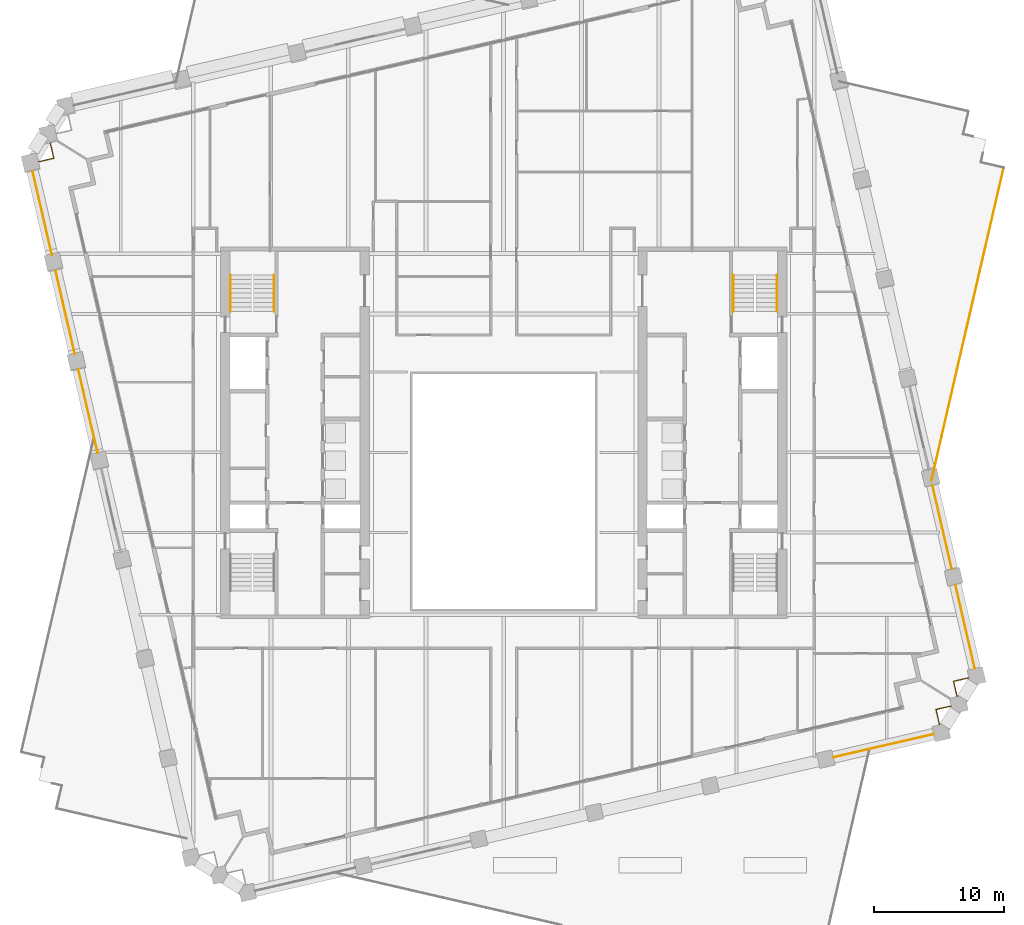
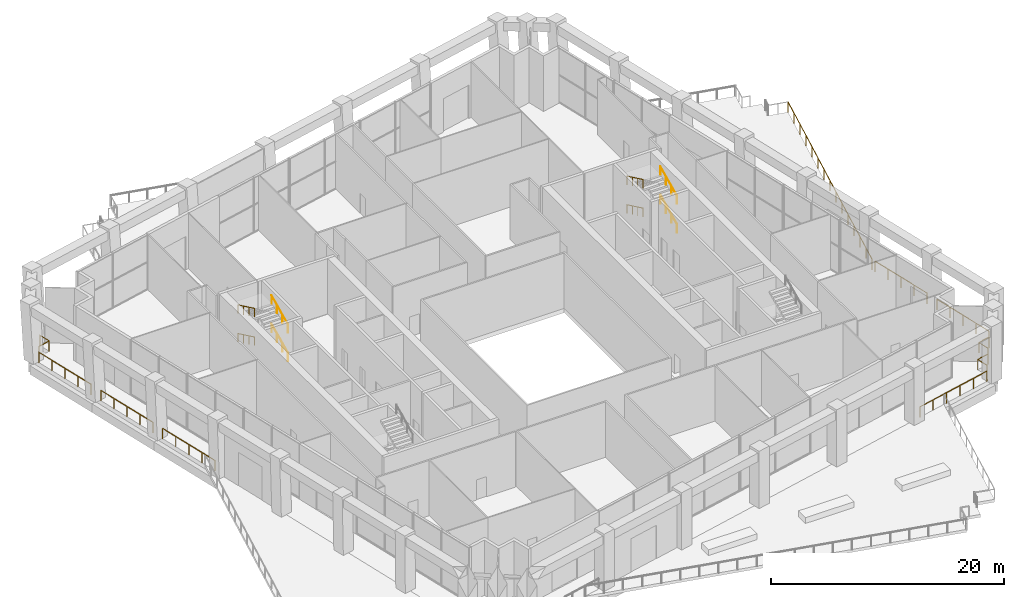
# One storey, part 20 of 24: 18 railings.
"""IFC4 building model written with IfcOpenShell, lengths in metres."""

from ifc_helpers import new_model, si_unit, direction, frame, origin, origin_2d, place, context, subcontext, project, spatial, circle, extrude, material, type_object, element, save


model = new_model("IFC4")

# Units and contexts
model_context = context("Model", 3, precision=1e-05, world=origin(), true_north=direction((0.0, 1.0)))
body_context = subcontext(model_context, "Body", "Model", "MODEL_VIEW")
ifc_project = project(units=[si_unit("LENGTHUNIT", "METRE"), si_unit("AREAUNIT", "SQUARE_METRE"), si_unit("VOLUMEUNIT", "CUBIC_METRE"), si_unit("PLANEANGLEUNIT", "RADIAN"), si_unit("MASSUNIT", "GRAM", prefix="KILO")], contexts=[model_context])

# Site, building, storey
site_placement = place(None, origin())
site = spatial("IfcSite", under=ifc_project, at=site_placement, CompositionType="ELEMENT")
building_placement = place(site_placement, origin())
building = spatial("IfcBuilding", under=site, at=building_placement, Name="Ogive Exchange Tower", CompositionType="ELEMENT")
storey_placement = place(building_placement, frame((0.0, 0.0, 165.60009765625)))
storey = spatial("IfcBuildingStorey", under=building, at=storey_placement, Name="L36", CompositionType="ELEMENT", Elevation=165.60009765625)

# Railings
ifc_material_1 = material(Name="Stainless steel 316", Category="steel")
railing_type_1 = type_object("IfcRailingType", Name="Balustrade 1100 glass and stainless steel", PredefinedType="BALUSTRADE", material=ifc_material_1)
railing_1_placement = place(storey_placement, frame((38.32958984375, 31.826904296875, 0.0)))
element("IfcRailing", 1, at=railing_1_placement, inside=storey, type_object=railing_type_1, Name="Terrace balustrade 17", PredefinedType="BALUSTRADE", context=body_context, shape_type="SweptSolid", body=[
    extrude(circle(Radius=0.02392578125, at=origin_2d()), frame((0.0, 0.0, 1.076171875), z_axis=(-0.224946395501, -0.974371140352, 0.0), x_axis=(0.974371140352, -0.224946395501, 0.0)), (0.0, 0.0, 1.0), 24.625),
    extrude(circle(Radius=0.02099609375, at=origin_2d()), origin(), (0.0, 0.0, 1.0), 1.052001953125),
    extrude(circle(Radius=0.02099609375, at=origin_2d()), frame((-0.395751953125, -1.7138671875, 0.0)), (0.0, 0.0, 1.0), 1.052001953125),
    extrude(circle(Radius=0.02099609375, at=origin_2d()), frame((-0.791259765625, -3.427734375, 0.0)), (0.0, 0.0, 1.0), 1.052001953125),
    extrude(circle(Radius=0.02099609375, at=origin_2d()), frame((-1.18701171875, -5.1416015625, 0.0)), (0.0, 0.0, 1.0), 1.052001953125),
    extrude(circle(Radius=0.02099609375, at=origin_2d()), frame((-1.582763671875, -6.85546875, 0.0)), (0.0, 0.0, 1.0), 1.052001953125),
    extrude(circle(Radius=0.02099609375, at=origin_2d()), frame((-1.978271484375, -8.5693359375, 0.0)), (0.0, 0.0, 1.0), 1.052001953125),
    extrude(circle(Radius=0.02099609375, at=origin_2d()), frame((-2.3740234375, -10.283203125, 0.0)), (0.0, 0.0, 1.0), 1.052001953125),
    extrude(circle(Radius=0.02099609375, at=origin_2d()), frame((-2.76953125, -11.9970703125, 0.0)), (0.0, 0.0, 1.0), 1.052001953125),
    extrude(circle(Radius=0.02099609375, at=origin_2d()), frame((-3.165283203125, -13.710693359375, 0.0)), (0.0, 0.0, 1.0), 1.052001953125),
    extrude(circle(Radius=0.02099609375, at=origin_2d()), frame((-3.56103515625, -15.424560546875, 0.0)), (0.0, 0.0, 1.0), 1.052001953125),
    extrude(circle(Radius=0.02099609375, at=origin_2d()), frame((-3.95654296875, -17.138427734375, 0.0)), (0.0, 0.0, 1.0), 1.052001953125),
    extrude(circle(Radius=0.02099609375, at=origin_2d()), frame((-4.352294921875, -18.852294921875, 0.0)), (0.0, 0.0, 1.0), 1.052001953125),
    extrude(circle(Radius=0.02099609375, at=origin_2d()), frame((-4.748046875, -20.566162109375, 0.0)), (0.0, 0.0, 1.0), 1.052001953125),
    extrude(circle(Radius=0.02099609375, at=origin_2d()), frame((-5.1435546875, -22.280029296875, 0.0)), (0.0, 0.0, 1.0), 1.052001953125),
    extrude(circle(Radius=0.02099609375, at=origin_2d()), frame((-5.539306640625, -23.993896484375, 0.0)), (0.0, 0.0, 1.0), 1.052001953125),
])
railing_type_2 = type_object("IfcRailingType", Name="Guard 1100 stainless steel and glass", PredefinedType="GUARDRAIL", material=ifc_material_1)
railing_2_placement = place(storey_placement, frame((25.28857421875, -13.37451171875, 0.0)))
element("IfcRailing", 2, at=railing_2_placement, inside=storey, type_object=railing_type_2, Name="Loggia guard S05", PredefinedType="GUARDRAIL", context=body_context, shape_type="SweptSolid", body=[
    extrude(circle(Radius=0.02392578125, at=origin_2d()), frame((0.0, 0.0, 1.076171875), z_axis=(0.974365538329, 0.224970659679, 0.0), x_axis=(-0.224970659679, 0.974365538329, 0.0)), (0.0, 0.0, 1.0), 7.860107421875),
    extrude(circle(Radius=0.02099609375, at=origin_2d()), origin(), (0.0, 0.0, 1.0), 1.052001953125),
    extrude(circle(Radius=0.02099609375, at=origin_2d()), frame((1.53173828125, 0.353759765625, 0.0)), (0.0, 0.0, 1.0), 1.052001953125),
    extrude(circle(Radius=0.02099609375, at=origin_2d()), frame((3.0634765625, 0.707275390625, 0.0)), (0.0, 0.0, 1.0), 1.052001953125),
    extrude(circle(Radius=0.02099609375, at=origin_2d()), frame((4.59521484375, 1.06103515625, 0.0)), (0.0, 0.0, 1.0), 1.052001953125),
    extrude(circle(Radius=0.02099609375, at=origin_2d()), frame((6.126953125, 1.41455078125, 0.0)), (0.0, 0.0, 1.0), 1.052001953125),
    extrude(circle(Radius=0.02099609375, at=origin_2d()), frame((7.65869140625, 1.768310546875, 0.0)), (0.0, 0.0, 1.0), 1.052001953125),
])
for number, where, name in (
    (3, (36.109619140625, -6.545166015625, 0.0), "Loggia guard E00"),
    (4, (34.35498046875, 1.054931640625, 0.0), "Loggia guard E01"),
):
    element("IfcRailing", number, at=place(storey_placement, frame(where)), inside=storey, type_object=railing_type_2, Name=name, PredefinedType="GUARDRAIL", context=body_context, shape_type="SweptSolid", body=[
        extrude(circle(Radius=0.02392578125, at=origin_2d()), frame((0.0, 0.0, 1.076171875), z_axis=(-0.224938330306, 0.974373002273, 0.0), x_axis=(-0.974373002273, -0.224938330306, 0.0)), (0.0, 0.0, 1.0), 6.56005859375),
        extrude(circle(Radius=0.02099609375, at=origin_2d()), origin(), (0.0, 0.0, 1.0), 1.052001953125),
        extrude(circle(Radius=0.02099609375, at=origin_2d()), frame((-0.368896484375, 1.597900390625, 0.0)), (0.0, 0.0, 1.0), 1.052001953125),
        extrude(circle(Radius=0.02099609375, at=origin_2d()), frame((-0.73779296875, 3.19580078125, 0.0)), (0.0, 0.0, 1.0), 1.052001953125),
        extrude(circle(Radius=0.02099609375, at=origin_2d()), frame((-1.106689453125, 4.7939453125, 0.0)), (0.0, 0.0, 1.0), 1.052001953125),
        extrude(circle(Radius=0.02099609375, at=origin_2d()), frame((-1.4755859375, 6.391845703125, 0.0)), (0.0, 0.0, 1.0), 1.052001953125),
    ])
for number, where, name in (
    (5, (-36.109619140625, 31.545166015625, 0.0), "Loggia guard W00"),
    (6, (-34.35498046875, 23.945068359375, 0.0), "Loggia guard W01"),
):
    element("IfcRailing", number, at=place(storey_placement, frame(where)), inside=storey, type_object=railing_type_2, Name=name, PredefinedType="GUARDRAIL", context=body_context, shape_type="SweptSolid", body=[
        extrude(circle(Radius=0.02392578125, at=origin_2d()), frame((0.0, 0.0, 1.076171875), z_axis=(0.224938330306, -0.974373002273, 0.0), x_axis=(0.974373002273, 0.224938330306, 0.0)), (0.0, 0.0, 1.0), 6.56005859375),
        extrude(circle(Radius=0.02099609375, at=origin_2d()), origin(), (0.0, 0.0, 1.0), 1.052001953125),
        extrude(circle(Radius=0.02099609375, at=origin_2d()), frame((0.368896484375, -1.597900390625, 0.0)), (0.0, 0.0, 1.0), 1.052001953125),
        extrude(circle(Radius=0.02099609375, at=origin_2d()), frame((0.73779296875, -3.19580078125, 0.0)), (0.0, 0.0, 1.0), 1.052001953125),
        extrude(circle(Radius=0.02099609375, at=origin_2d()), frame((1.106689453125, -4.7939453125, 0.0)), (0.0, 0.0, 1.0), 1.052001953125),
        extrude(circle(Radius=0.02099609375, at=origin_2d()), frame((1.4755859375, -6.391845703125, 0.0)), (0.0, 0.0, 1.0), 1.052001953125),
    ])
railing_3_placement = place(storey_placement, frame((-32.6005859375, 16.344970703125, 0.0)))
element("IfcRailing", 7, at=railing_3_placement, inside=storey, type_object=railing_type_2, Name="Loggia guard W02", PredefinedType="GUARDRAIL", context=body_context, shape_type="SweptSolid", body=[
    extrude(circle(Radius=0.02392578125, at=origin_2d()), frame((0.0, 0.0, 1.076171875), z_axis=(0.224973663593, -0.974364844752, 0.0), x_axis=(0.974364844752, 0.224973663593, 0.0)), (0.0, 0.0, 1.0), 6.56005859375),
    extrude(circle(Radius=0.02099609375, at=origin_2d()), origin(), (0.0, 0.0, 1.0), 1.052001953125),
    extrude(circle(Radius=0.02099609375, at=origin_2d()), frame((0.368896484375, -1.597900390625, 0.0)), (0.0, 0.0, 1.0), 1.052001953125),
    extrude(circle(Radius=0.02099609375, at=origin_2d()), frame((0.73779296875, -3.19580078125, 0.0)), (0.0, 0.0, 1.0), 1.052001953125),
    extrude(circle(Radius=0.02099609375, at=origin_2d()), frame((1.10693359375, -4.7939453125, 0.0)), (0.0, 0.0, 1.0), 1.052001953125),
    extrude(circle(Radius=0.02099609375, at=origin_2d()), frame((1.475830078125, -6.391845703125, 0.0)), (0.0, 0.0, 1.0), 1.052001953125),
])
for number, where, name in (
    (8, (33.411865234375, -10.86279296875, 0.0), "Loggia guard C11"),
    (9, (34.7607421875, -8.7041015625, 0.0), "Loggia guard C12"),
):
    element("IfcRailing", number, at=place(storey_placement, frame(where)), inside=storey, type_object=railing_type_2, Name=name, PredefinedType="GUARDRAIL", context=body_context, shape_type="SweptSolid", body=[
        extrude(circle(Radius=0.02392578125, at=origin_2d()), frame((0.0, 0.0, 1.076171875), z_axis=(-0.22487461562, 0.974387708897, 0.0), x_axis=(-0.974387708897, -0.22487461562, 0.0)), (0.0, 0.0, 1.0), 1.18017578125),
        extrude(circle(Radius=0.02392578125, at=origin_2d()), frame((-0.265380859375, 1.14990234375, 1.076171875), z_axis=(0.974377244286, 0.224919954245, 0.0), x_axis=(-0.224919954245, 0.974377244286, 0.0)), (0.0, 0.0, 1.0), 1.179931640625),
        extrude(circle(Radius=0.02099609375, at=origin_2d()), origin(), (0.0, 0.0, 1.0), 1.052001953125),
        extrude(circle(Radius=0.02099609375, at=origin_2d()), frame((-0.265380859375, 1.14990234375, 0.0)), (0.0, 0.0, 1.0), 1.052001953125),
        extrude(circle(Radius=0.02099609375, at=origin_2d()), frame((0.88427734375, 1.415283203125, 0.0)), (0.0, 0.0, 1.0), 1.052001953125),
    ])
railing_4_placement = place(storey_placement, frame((-34.7607421875, 33.7041015625, 0.0)))
element("IfcRailing", 10, at=railing_4_placement, inside=storey, type_object=railing_type_2, Name="Loggia guard C32", PredefinedType="GUARDRAIL", context=body_context, shape_type="SweptSolid", body=[
    extrude(circle(Radius=0.02392578125, at=origin_2d()), frame((0.0, 0.0, 1.076171875), z_axis=(0.22487461562, -0.974387708897, 0.0), x_axis=(0.974387708897, 0.22487461562, 0.0)), (0.0, 0.0, 1.0), 1.18017578125),
    extrude(circle(Radius=0.02392578125, at=origin_2d()), frame((0.265380859375, -1.14990234375, 1.076171875), z_axis=(-0.974377244286, -0.224919954245, 0.0), x_axis=(0.224919954245, -0.974377244286, 0.0)), (0.0, 0.0, 1.0), 1.179931640625),
    extrude(circle(Radius=0.02099609375, at=origin_2d()), origin(), (0.0, 0.0, 1.0), 1.052001953125),
    extrude(circle(Radius=0.02099609375, at=origin_2d()), frame((0.265380859375, -1.14990234375, 0.0)), (0.0, 0.0, 1.0), 1.052001953125),
    extrude(circle(Radius=0.02099609375, at=origin_2d()), frame((-0.88427734375, -1.415283203125, 0.0)), (0.0, 0.0, 1.0), 1.052001953125),
])
ifc_material_2 = material(Name="Stainless steel", Category="steel")
railing_type_3 = type_object("IfcRailingType", Name="Stair handrail 900", PredefinedType="HANDRAIL", material=ifc_material_2)
railing_5_placement = place(storey_placement, frame((-17.60009765625, 20.800048828125, 0.16650390625)))
element("IfcRailing", 11, at=railing_5_placement, inside=storey, type_object=railing_type_3, Name="L36 ST2 stair handrail 1", PredefinedType="HANDRAIL", context=body_context, shape_type="SweptSolid", body=[
    extrude(circle(Radius=0.02392578125, at=origin_2d()), frame((0.0, 0.0, 0.8759765625), z_axis=(0.0, 0.903307180593, 0.428994332701), x_axis=(-1.0, 0.0, 0.0)), (0.0, 0.0, 1.0), 3.1083984375),
    extrude(circle(Radius=0.02099609375, at=origin_2d()), origin(), (0.0, 0.0, 1.0), 0.851806640625),
    extrude(circle(Radius=0.02099609375, at=origin_2d()), frame((0.0, 0.93603515625, 0.444580078125)), (0.0, 0.0, 1.0), 0.851806640625),
    extrude(circle(Radius=0.02099609375, at=origin_2d()), frame((0.0, 1.871826171875, 0.888916015625)), (0.0, 0.0, 1.0), 0.851806640625),
    extrude(circle(Radius=0.02099609375, at=origin_2d()), frame((0.0, 2.807861328125, 1.33349609375)), (0.0, 0.0, 1.0), 0.851806640625),
])
railing_6_placement = place(storey_placement, frame((-20.949951171875, 23.60791015625, 1.66650390625)))
element("IfcRailing", 12, at=railing_6_placement, inside=storey, type_object=railing_type_3, Name="L36 ST2 stair handrail 2", PredefinedType="HANDRAIL", context=body_context, shape_type="SweptSolid", body=[
    extrude(circle(Radius=0.02392578125, at=origin_2d()), frame((0.0, 0.0, 0.8759765625), z_axis=(0.0, -0.903307180593, 0.428994332701), x_axis=(1.0, 0.0, 0.0)), (0.0, 0.0, 1.0), 3.1083984375),
    extrude(circle(Radius=0.02099609375, at=origin_2d()), origin(), (0.0, 0.0, 1.0), 0.851806640625),
    extrude(circle(Radius=0.02099609375, at=origin_2d()), frame((0.0, -0.93603515625, 0.444580078125)), (0.0, 0.0, 1.0), 0.851806640625),
    extrude(circle(Radius=0.02099609375, at=origin_2d()), frame((0.0, -1.871826171875, 0.888916015625)), (0.0, 0.0, 1.0), 0.851806640625),
    extrude(circle(Radius=0.02099609375, at=origin_2d()), frame((0.0, -2.807861328125, 1.33349609375)), (0.0, 0.0, 1.0), 0.851806640625),
])
railing_7_placement = place(storey_placement, frame((-17.60009765625, 20.800048828125, 3.16650390625)))
element("IfcRailing", 13, at=railing_7_placement, inside=storey, type_object=railing_type_3, Name="L36 ST2 stair handrail 3", PredefinedType="HANDRAIL", context=body_context, shape_type="SweptSolid", body=[
    extrude(circle(Radius=0.02392578125, at=origin_2d()), frame((0.0, 0.0, 0.8759765625), z_axis=(0.0, 0.903307180593, 0.428994332701), x_axis=(-1.0, 0.0, 0.0)), (0.0, 0.0, 1.0), 3.1083984375),
    extrude(circle(Radius=0.02099609375, at=origin_2d()), origin(), (0.0, 0.0, 1.0), 0.851806640625),
    extrude(circle(Radius=0.02099609375, at=origin_2d()), frame((0.0, 0.93603515625, 0.444580078125)), (0.0, 0.0, 1.0), 0.851806640625),
    extrude(circle(Radius=0.02099609375, at=origin_2d()), frame((0.0, 1.871826171875, 0.888916015625)), (0.0, 0.0, 1.0), 0.851806640625),
    extrude(circle(Radius=0.02099609375, at=origin_2d()), frame((0.0, 2.807861328125, 1.33349609375)), (0.0, 0.0, 1.0), 0.851806640625),
])
railing_8_placement = place(storey_placement, frame((-20.949951171875, 23.60791015625, 4.66650390625)))
element("IfcRailing", 14, at=railing_8_placement, inside=storey, type_object=railing_type_3, Name="L36 ST2 stair handrail 4", PredefinedType="HANDRAIL", context=body_context, shape_type="SweptSolid", body=[
    extrude(circle(Radius=0.02392578125, at=origin_2d()), frame((0.0, 0.0, 0.8759765625), z_axis=(0.0, -0.903307180593, 0.428994332701), x_axis=(1.0, 0.0, 0.0)), (0.0, 0.0, 1.0), 3.1083984375),
    extrude(circle(Radius=0.02099609375, at=origin_2d()), origin(), (0.0, 0.0, 1.0), 0.851806640625),
    extrude(circle(Radius=0.02099609375, at=origin_2d()), frame((0.0, -0.93603515625, 0.444580078125)), (0.0, 0.0, 1.0), 0.851806640625),
    extrude(circle(Radius=0.02099609375, at=origin_2d()), frame((0.0, -1.871826171875, 0.888916015625)), (0.0, 0.0, 1.0), 0.851806640625),
    extrude(circle(Radius=0.02099609375, at=origin_2d()), frame((0.0, -2.807861328125, 1.33349609375)), (0.0, 0.0, 1.0), 0.851806640625),
])
railing_9_placement = place(storey_placement, frame((20.949951171875, 20.800048828125, 0.16650390625)))
element("IfcRailing", 15, at=railing_9_placement, inside=storey, type_object=railing_type_3, Name="L36 ST4 stair handrail 1", PredefinedType="HANDRAIL", context=body_context, shape_type="SweptSolid", body=[
    extrude(circle(Radius=0.02392578125, at=origin_2d()), frame((0.0, 0.0, 0.8759765625), z_axis=(0.0, 0.903307180593, 0.428994332701), x_axis=(-1.0, 0.0, 0.0)), (0.0, 0.0, 1.0), 3.1083984375),
    extrude(circle(Radius=0.02099609375, at=origin_2d()), origin(), (0.0, 0.0, 1.0), 0.851806640625),
    extrude(circle(Radius=0.02099609375, at=origin_2d()), frame((0.0, 0.93603515625, 0.444580078125)), (0.0, 0.0, 1.0), 0.851806640625),
    extrude(circle(Radius=0.02099609375, at=origin_2d()), frame((0.0, 1.871826171875, 0.888916015625)), (0.0, 0.0, 1.0), 0.851806640625),
    extrude(circle(Radius=0.02099609375, at=origin_2d()), frame((0.0, 2.807861328125, 1.33349609375)), (0.0, 0.0, 1.0), 0.851806640625),
])
railing_10_placement = place(storey_placement, frame((17.60009765625, 23.60791015625, 1.66650390625)))
element("IfcRailing", 16, at=railing_10_placement, inside=storey, type_object=railing_type_3, Name="L36 ST4 stair handrail 2", PredefinedType="HANDRAIL", context=body_context, shape_type="SweptSolid", body=[
    extrude(circle(Radius=0.02392578125, at=origin_2d()), frame((0.0, 0.0, 0.8759765625), z_axis=(0.0, -0.903307180593, 0.428994332701), x_axis=(1.0, 0.0, 0.0)), (0.0, 0.0, 1.0), 3.1083984375),
    extrude(circle(Radius=0.02099609375, at=origin_2d()), origin(), (0.0, 0.0, 1.0), 0.851806640625),
    extrude(circle(Radius=0.02099609375, at=origin_2d()), frame((0.0, -0.93603515625, 0.444580078125)), (0.0, 0.0, 1.0), 0.851806640625),
    extrude(circle(Radius=0.02099609375, at=origin_2d()), frame((0.0, -1.871826171875, 0.888916015625)), (0.0, 0.0, 1.0), 0.851806640625),
    extrude(circle(Radius=0.02099609375, at=origin_2d()), frame((0.0, -2.807861328125, 1.33349609375)), (0.0, 0.0, 1.0), 0.851806640625),
])
railing_11_placement = place(storey_placement, frame((20.949951171875, 20.800048828125, 3.16650390625)))
element("IfcRailing", 17, at=railing_11_placement, inside=storey, type_object=railing_type_3, Name="L36 ST4 stair handrail 3", PredefinedType="HANDRAIL", context=body_context, shape_type="SweptSolid", body=[
    extrude(circle(Radius=0.02392578125, at=origin_2d()), frame((0.0, 0.0, 0.8759765625), z_axis=(0.0, 0.903307180593, 0.428994332701), x_axis=(-1.0, 0.0, 0.0)), (0.0, 0.0, 1.0), 3.1083984375),
    extrude(circle(Radius=0.02099609375, at=origin_2d()), origin(), (0.0, 0.0, 1.0), 0.851806640625),
    extrude(circle(Radius=0.02099609375, at=origin_2d()), frame((0.0, 0.93603515625, 0.444580078125)), (0.0, 0.0, 1.0), 0.851806640625),
    extrude(circle(Radius=0.02099609375, at=origin_2d()), frame((0.0, 1.871826171875, 0.888916015625)), (0.0, 0.0, 1.0), 0.851806640625),
    extrude(circle(Radius=0.02099609375, at=origin_2d()), frame((0.0, 2.807861328125, 1.33349609375)), (0.0, 0.0, 1.0), 0.851806640625),
])
railing_12_placement = place(storey_placement, frame((17.60009765625, 23.60791015625, 4.66650390625)))
element("IfcRailing", 18, at=railing_12_placement, inside=storey, type_object=railing_type_3, Name="L36 ST4 stair handrail 4", PredefinedType="HANDRAIL", context=body_context, shape_type="SweptSolid", body=[
    extrude(circle(Radius=0.02392578125, at=origin_2d()), frame((0.0, 0.0, 0.8759765625), z_axis=(0.0, -0.903307180593, 0.428994332701), x_axis=(1.0, 0.0, 0.0)), (0.0, 0.0, 1.0), 3.1083984375),
    extrude(circle(Radius=0.02099609375, at=origin_2d()), origin(), (0.0, 0.0, 1.0), 0.851806640625),
    extrude(circle(Radius=0.02099609375, at=origin_2d()), frame((0.0, -0.93603515625, 0.444580078125)), (0.0, 0.0, 1.0), 0.851806640625),
    extrude(circle(Radius=0.02099609375, at=origin_2d()), frame((0.0, -1.871826171875, 0.888916015625)), (0.0, 0.0, 1.0), 0.851806640625),
    extrude(circle(Radius=0.02099609375, at=origin_2d()), frame((0.0, -2.807861328125, 1.33349609375)), (0.0, 0.0, 1.0), 0.851806640625),
])

save(model, "model.ifc")
